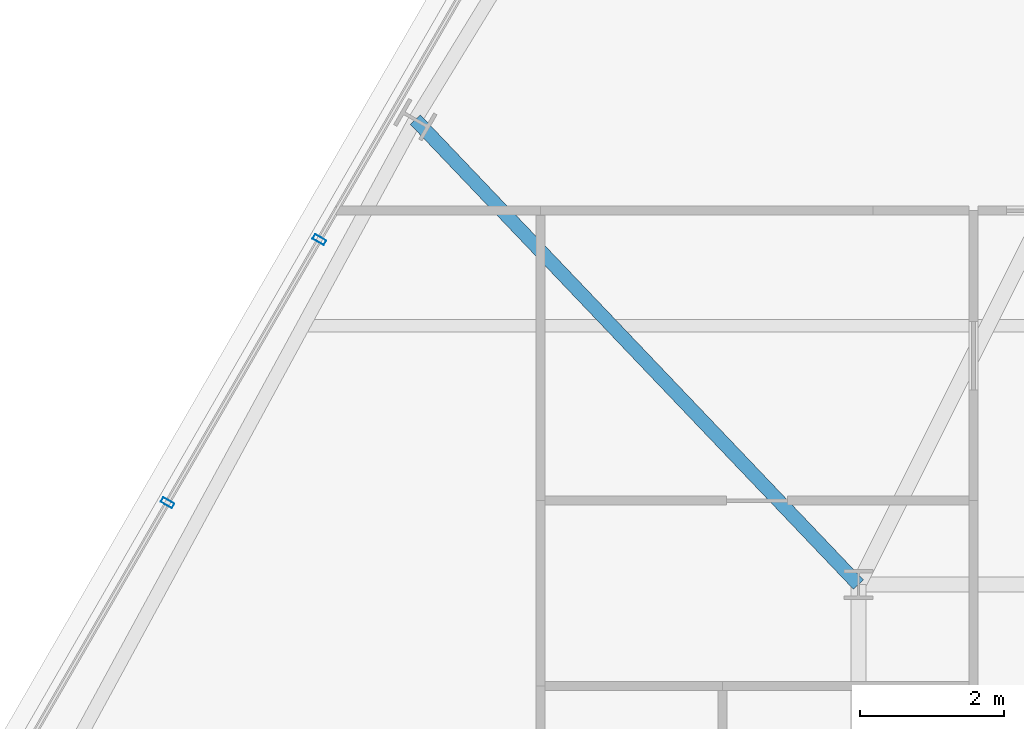
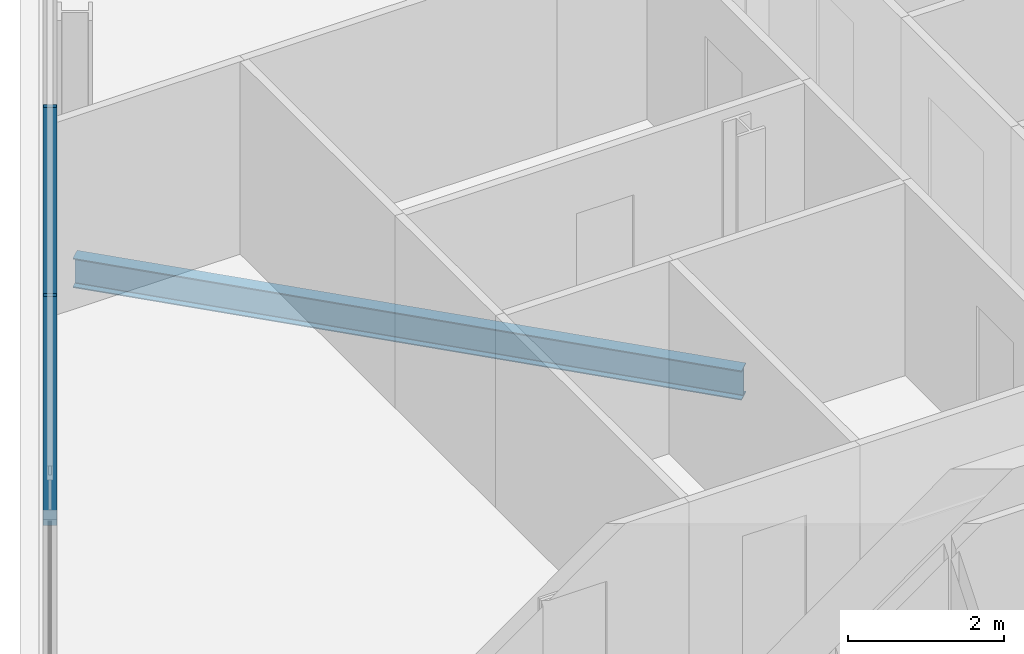
# One storey, part 10 of 33: 2 members, 1 beam, 1 element without a shape of its own.
"""IFC4 building model written with IfcOpenShell, lengths in metres."""

from ifc_helpers import new_model, si_unit, direction, frame, origin, origin_2d, place, context, subcontext, project, spatial, hollow_rectangle, i_section, extrude, material, layer, layer_set, material_profile, profile_set, type_object, element, aggregate, save


model = new_model("IFC4")

# Units and contexts
model_context = context("Model", 3, precision=1e-05, world=origin(), true_north=direction((0.0, 1.0)))
body_context = subcontext(model_context, "Body", "Model", "MODEL_VIEW")
ifc_project = project(units=[si_unit("LENGTHUNIT", "METRE"), si_unit("AREAUNIT", "SQUARE_METRE"), si_unit("VOLUMEUNIT", "CUBIC_METRE"), si_unit("PLANEANGLEUNIT", "RADIAN"), si_unit("MASSUNIT", "GRAM", prefix="KILO")], contexts=[model_context])

# Site, building, storey
site_placement = place(None, origin())
site = spatial("IfcSite", under=ifc_project, at=site_placement, CompositionType="ELEMENT")
building_placement = place(site_placement, origin())
building = spatial("IfcBuilding", under=site, at=building_placement, Name="Ndaravel Arena Tower", CompositionType="ELEMENT")
storey_placement = place(building_placement, frame((0.0, 0.0, 184.0)))
storey = spatial("IfcBuildingStorey", under=building, at=storey_placement, Name="L44", CompositionType="ELEMENT", Elevation=184.0)

# Beam
ifc_material_1 = material(Name="Steel S355", Category="steel")
ifc_material_profile_1 = material_profile(ifc_material_1, i_section(OverallWidth=0.19140625, OverallDepth=0.4599609375, WebThickness=0.010009765625, FlangeThickness=0.01611328125, FilletRadius=0.01025390625, at=origin_2d()), Name="UB 457x191x82")
ifc_profile_set_1 = profile_set([ifc_material_profile_1], Name="Steel S355")
beam_type = type_object("IfcBeamType", Name="BM-GIRD-UB457", PredefinedType="BEAM", material=ifc_profile_set_1)
beam_placement = place(storey_placement, frame((28.036376953125, 29.666015625, -0.449951171875), z_axis=(0.689973121791, -0.723834988934, 0.0), x_axis=(0.723834988934, 0.689973121791, 0.0)))
element("IfcBeam", 1, at=beam_placement, inside=storey, type_object=beam_type, Name="L44 Radial Floor Girder FG-19", PredefinedType="BEAM", context=body_context, shape_type="SweptSolid", body=[
    extrude(i_section(OverallWidth=0.19140625, OverallDepth=0.4599609375, WebThickness=0.010009765625, FlangeThickness=0.01611328125, FilletRadius=0.01025390625, at=origin_2d()), origin(), (0.0, 0.0, 1.0), 8.93310546875),
])

# Curtain wall, members
ifc_material_2 = material(Name="Aluminium", Category="aluminium")
ifc_layer = layer(ifc_material_2, 0.179931640625)
ifc_layer_set = layer_set([ifc_layer], Name="Aluminium")
curtain_wall_type = type_object("IfcCurtainWallType", Name="CW-SYS-03", PredefinedType="NOTDEFINED", material=ifc_layer_set)
curtain_wall_placement = place(storey_placement, origin())
curtain_wall = element("IfcCurtainWall", 2, at=curtain_wall_placement, inside=storey, type_object=curtain_wall_type, Name="L44 Faceted Crystal Curtain Wall CW-L44-E05", PredefinedType="NOTDEFINED")
ifc_material_3 = material(Name="Aluminium", Category="aluminium")
ifc_material_profile_2 = material_profile(ifc_material_3, hollow_rectangle(XDim=0.074951171875, YDim=0.179931640625, WallThickness=0.00390625, at=origin_2d()), Name="CW MULLION 75x180x4")
ifc_profile_set_2 = profile_set([ifc_material_profile_2], Name="Aluminium")
member_type = type_object("IfcMemberType", Name="MEM-CW-MUL180", PredefinedType="MULLION", material=ifc_profile_set_2)
member_1_placement = place(storey_placement, frame((26.702880859375, 27.996337890625, 0.0), z_axis=(0.0, 0.0, 1.0), x_axis=(-0.5, -0.866025403784, 0.0)))
member_1 = element("IfcMember", 3, at=member_1_placement, type_object=member_type, Name="CW-L44-E05 Mullion 05", PredefinedType="MULLION", context=body_context, shape_type="SweptSolid", body=[
    extrude(hollow_rectangle(XDim=0.074951171875, YDim=0.179931640625, WallThickness=0.00390625, at=origin_2d()), origin(), (0.0, 0.0, 1.0), 3.580078125),
])
member_2_placement = place(storey_placement, frame((24.590087890625, 24.337158203125, 0.0), z_axis=(0.0, 0.0, 1.0), x_axis=(-0.5, -0.866025403784, 0.0)))
member_2 = element("IfcMember", 4, at=member_2_placement, type_object=member_type, Name="CW-L44-E05 Mullion 06", PredefinedType="MULLION", context=body_context, shape_type="SweptSolid", body=[
    extrude(hollow_rectangle(XDim=0.074951171875, YDim=0.179931640625, WallThickness=0.00390625, at=origin_2d()), origin(), (0.0, 0.0, 1.0), 3.580078125),
])
aggregate(curtain_wall, [member_1, member_2])

save(model, "model.ifc")
